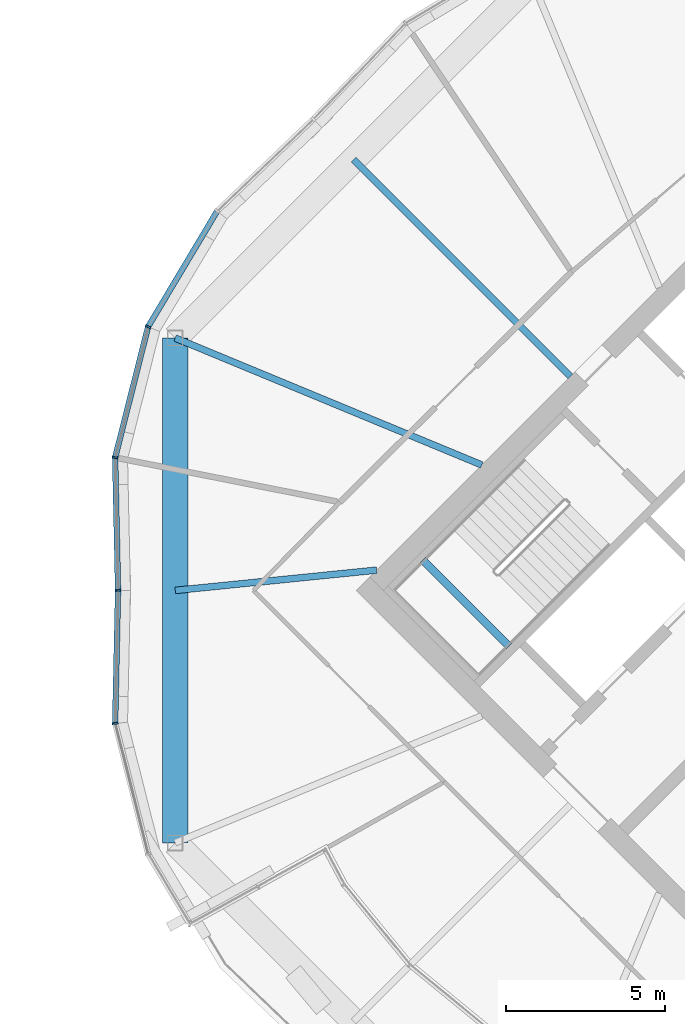
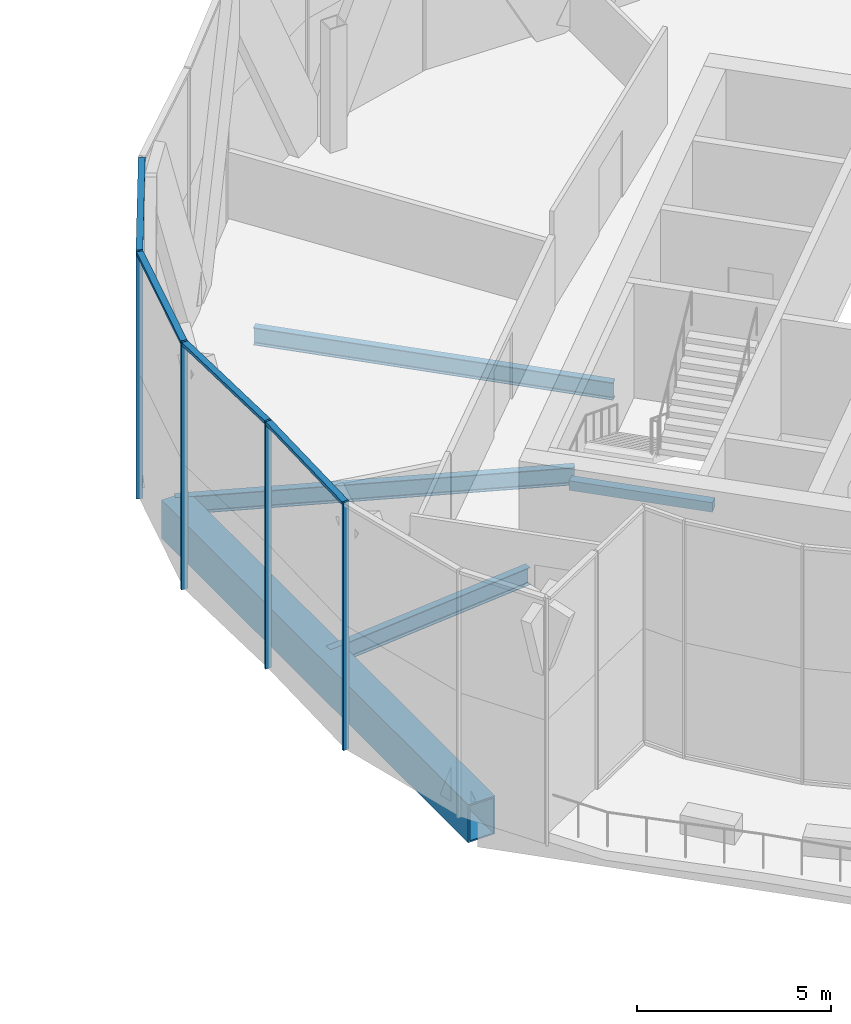
# One storey, part 11 of 26: 8 members, 5 beams, 2 elements without a shape of their own.
"""IFC4 building model written with IfcOpenShell, lengths in metres."""

from ifc_helpers import new_model, si_unit, direction, frame, origin, origin_2d, place, context, subcontext, project, spatial, rectangle, hollow_rectangle, i_section, extrude, material, material_profile, profile_set, type_object, element, aggregate, save


model = new_model("IFC4")

# Units and contexts
model_context = context("Model", 3, precision=1e-05, world=origin(), true_north=direction((0.0, 1.0)))
body_context = subcontext(model_context, "Body", "Model", "MODEL_VIEW")
ifc_project = project(units=[si_unit("LENGTHUNIT", "METRE"), si_unit("AREAUNIT", "SQUARE_METRE"), si_unit("VOLUMEUNIT", "CUBIC_METRE"), si_unit("PLANEANGLEUNIT", "RADIAN"), si_unit("MASSUNIT", "GRAM", prefix="KILO")], contexts=[model_context])

# Site, building, storey
site_placement = place(None, origin())
site = spatial("IfcSite", under=ifc_project, at=site_placement, CompositionType="ELEMENT")
building_placement = place(site_placement, origin())
building = spatial("IfcBuilding", under=site, at=building_placement, Name="Ogive Gate Towers", CompositionType="ELEMENT")
storey_placement = place(building_placement, frame((0.0, 0.0, 208.5)))
storey = spatial("IfcBuildingStorey", under=building, at=storey_placement, Name="L50", CompositionType="ELEMENT", Elevation=208.5)

# Beams
ifc_material_1 = material(Name="Steel SM460", Category="steel")
ifc_material_profile_1 = material_profile(ifc_material_1, hollow_rectangle(XDim=0.800048828125, YDim=1.199951171875, WallThickness=0.050048828125, at=origin_2d()), Name="BX 1200x800x50")
ifc_profile_set_1 = profile_set([ifc_material_profile_1], Name="Steel SM460")
beam_type_1 = type_object("IfcBeamType", Name="Edge girder BX 1200x800x50", PredefinedType="BEAM", material=ifc_profile_set_1)
beam_1_placement = place(storey_placement, frame((16.885009765625, 7.917724609375, -0.89990234375), z_axis=(0.0, -1.0, 0.0), x_axis=(1.0, 0.0, 0.0)))
element("IfcBeam", 1, at=beam_1_placement, inside=storey, type_object=beam_type_1, Name="T2/L50/SBM024", PredefinedType="BEAM", context=body_context, shape_type="SweptSolid", body=[
    extrude(hollow_rectangle(XDim=0.800048828125, YDim=1.199951171875, WallThickness=0.050048828125, at=origin_2d()), origin(), (0.0, 0.0, 1.0), 15.83544921875),
])
ifc_material_2 = material(Name="Concrete C40/50", Category="concrete")
ifc_material_profile_2 = material_profile(ifc_material_2, rectangle(XDim=0.25, YDim=0.300048828125, at=origin_2d()), Name="RC 250x300")
ifc_profile_set_2 = profile_set([ifc_material_profile_2], Name="Concrete C40/50")
beam_type_2 = type_object("IfcBeamType", Name="Landing bearer RC 250x300", PredefinedType="BEAM", material=ifc_profile_set_2)
beam_2_placement = place(storey_placement, frame((24.650390625, 0.9541015625, 1.60009765625), z_axis=(0.707106781187, -0.707106781187, 0.0), x_axis=(0.707106781187, 0.707106781187, 0.0)))
element("IfcBeam", 2, at=beam_2_placement, inside=storey, type_object=beam_type_2, Name="T2 L50 stair 1 landing bearer 1", PredefinedType="BEAM", context=body_context, shape_type="SweptSolid", body=[
    extrude(rectangle(XDim=0.25, YDim=0.300048828125, at=origin_2d()), origin(), (0.0, 0.0, 1.0), 3.824951171875),
])
ifc_material_3 = material(Name="Steel SM355", Category="steel")
ifc_material_profile_3 = material_profile(ifc_material_3, i_section(OverallWidth=0.2099609375, OverallDepth=0.550048828125, WebThickness=0.010986328125, FlangeThickness=0.01708984375, FilletRadius=0.02392578125, at=origin_2d()), Name="IPE 550")
ifc_profile_set_3 = profile_set([ifc_material_profile_3], Name="Steel SM355")
beam_type_3 = type_object("IfcBeamType", Name="Radial floor beam IPE 550", PredefinedType="BEAM", material=ifc_profile_set_3)
beam_3_placement = place(storey_placement, frame((29.282470703125, 6.717529296875, -0.574951171875), z_axis=(-0.707106781187, 0.707106781187, 0.0), x_axis=(-0.707106781187, -0.707106781187, 0.0)))
element("IfcBeam", 3, at=beam_3_placement, inside=storey, type_object=beam_type_3, Name="T2/L50/SBM014", PredefinedType="BEAM", context=body_context, shape_type="SweptSolid", body=[
    extrude(i_section(OverallWidth=0.2099609375, OverallDepth=0.550048828125, WebThickness=0.010986328125, FlangeThickness=0.01708984375, FilletRadius=0.02392578125, at=origin_2d()), origin(), (0.0, 0.0, 1.0), 9.614990234375),
])
beam_4_placement = place(storey_placement, frame((26.5, 3.93505859375, -0.574951171875), z_axis=(-0.92387930631, 0.382683978464, 0.0), x_axis=(-0.382683978464, -0.92387930631, 0.0)))
element("IfcBeam", 4, at=beam_4_placement, inside=storey, type_object=beam_type_3, Name="T2/L50/SBM015", PredefinedType="BEAM", context=body_context, shape_type="SweptSolid", body=[
    extrude(i_section(OverallWidth=0.2099609375, OverallDepth=0.550048828125, WebThickness=0.010986328125, FlangeThickness=0.01708984375, FilletRadius=0.02392578125, at=origin_2d()), origin(), (0.0, 0.0, 1.0), 10.4072265625),
])
beam_5_placement = place(storey_placement, frame((23.201416015625, 0.636474609375, -0.574951171875), z_axis=(-0.994961513499, -0.100257601488, 0.0), x_axis=(0.100257601488, -0.994961513499, 0.0)))
element("IfcBeam", 5, at=beam_5_placement, inside=storey, type_object=beam_type_3, Name="T2/L50/SBM016", PredefinedType="BEAM", context=body_context, shape_type="SweptSolid", body=[
    extrude(i_section(OverallWidth=0.2099609375, OverallDepth=0.550048828125, WebThickness=0.010986328125, FlangeThickness=0.01708984375, FilletRadius=0.02392578125, at=origin_2d()), origin(), (0.0, 0.0, 1.0), 6.348388671875),
])

# Curtain wall, members
ifc_material_4 = material(Name="Pale metal aluminium", Category="aluminium")
curtain_wall_type = type_object("IfcCurtainWallType", Name="Tower unitised wall, high zone", PredefinedType="NOTDEFINED", material=ifc_material_4)
curtain_wall_1_placement = place(storey_placement, origin())
curtain_wall_1 = element("IfcCurtainWall", 6, at=curtain_wall_1_placement, inside=storey, type_object=curtain_wall_type, Name="CW2 T2 ECW07", PredefinedType="NOTDEFINED")
ifc_material_profile_4 = material_profile(ifc_material_4, rectangle(XDim=0.179931640625, YDim=0.06005859375, at=origin_2d()), Name="60 x 180 aluminium box")
ifc_profile_set_4 = profile_set([ifc_material_profile_4], Name="Pale metal aluminium")
member_type_1 = type_object("IfcMemberType", Name="Tower unitised wall, high zone mullion 60 x 180", PredefinedType="MULLION", material=ifc_profile_set_4)
member_1_placement = place(storey_placement, frame((15.090087890625, -0.000244140625, -0.300048828125), z_axis=(0.0, 0.0, 1.0), x_axis=(0.999761646186, 0.02183233417, 0.0)))
member_1 = element("IfcMember", 7, at=member_1_placement, type_object=member_type_1, Name="CW2 mullion", PredefinedType="MULLION", context=body_context, shape_type="SweptSolid", body=[
    extrude(rectangle(XDim=0.179931640625, YDim=0.06005859375, at=origin_2d()), origin(), (0.0, 0.0, 1.0), 7.800048828125),
])
member_2_placement = place(storey_placement, frame((14.9990234375, 4.16796875, -0.300048828125), z_axis=(0.0, 0.0, 1.0), x_axis=(0.993662420818, -0.112405486759, 0.0)))
member_2 = element("IfcMember", 8, at=member_2_placement, type_object=member_type_1, Name="CW2 mullion", PredefinedType="MULLION", context=body_context, shape_type="SweptSolid", body=[
    extrude(rectangle(XDim=0.179931640625, YDim=0.06005859375, at=origin_2d()), origin(), (0.0, 0.0, 1.0), 7.800048828125),
])
member_3_placement = place(storey_placement, frame((16.033935546875, 8.270263671875, -0.300048828125), z_axis=(0.0, 0.0, 1.0), x_axis=(0.923879532511, -0.382683432365, 0.0)))
member_3 = element("IfcMember", 9, at=member_3_placement, type_object=member_type_1, Name="CW2 mullion", PredefinedType="MULLION", context=body_context, shape_type="SweptSolid", body=[
    extrude(rectangle(XDim=0.179931640625, YDim=0.06005859375, at=origin_2d()), origin(), (0.0, 0.0, 1.0), 7.800048828125),
])

# Curtain wall, member
curtain_wall_2_placement = place(storey_placement, origin())
curtain_wall_2 = element("IfcCurtainWall", 10, at=curtain_wall_2_placement, inside=storey, type_object=curtain_wall_type, Name="CW2 T2 ECW08", PredefinedType="NOTDEFINED")
member_4_placement = place(storey_placement, frame((14.9990234375, -4.16796875, -0.300048828125), z_axis=(0.0, 0.0, 1.0), x_axis=(0.993662420818, 0.112405486759, 0.0)))
member_4 = element("IfcMember", 11, at=member_4_placement, type_object=member_type_1, Name="CW2 mullion", PredefinedType="MULLION", context=body_context, shape_type="SweptSolid", body=[
    extrude(rectangle(XDim=0.179931640625, YDim=0.06005859375, at=origin_2d()), origin(), (0.0, 0.0, 1.0), 7.800048828125),
])

# Member
ifc_material_profile_5 = material_profile(ifc_material_4, rectangle(XDim=0.179931640625, YDim=0.10009765625, at=origin_2d()), Name="100 x 180 aluminium box")
ifc_profile_set_5 = profile_set([ifc_material_profile_5], Name="Pale metal aluminium")
member_type_2 = type_object("IfcMemberType", Name="Tower unitised wall, high zone transom 100 x 180", PredefinedType="USERDEFINED", material=ifc_profile_set_5)
member_5_placement = place(storey_placement, frame((15.08935546875, 0.02978515625, 7.449951171875), z_axis=(-0.021811478493, 0.999762101405, 0.0), x_axis=(-0.999762101405, -0.021811478493, 0.0)))
member_5 = element("IfcMember", 12, at=member_5_placement, type_object=member_type_2, Name="CW2 transom", ObjectType="TRANSOM", PredefinedType="USERDEFINED", context=body_context, shape_type="SweptSolid", body=[
    extrude(rectangle(XDim=0.179931640625, YDim=0.10009765625, at=origin_2d()), origin(), (0.0, 0.0, 1.0), 4.10791015625),
])

member_6_placement = place(storey_placement, frame((15.006591796875, 4.1982421875, 7.449951171875), z_axis=(0.244602369594, 0.96962347372, 0.0), x_axis=(-0.96962347372, 0.244602369594, 0.0)))
member_6 = element("IfcMember", 13, at=member_6_placement, type_object=member_type_2, Name="CW2 transom", ObjectType="TRANSOM", PredefinedType="USERDEFINED", context=body_context, shape_type="SweptSolid", body=[
    extrude(rectangle(XDim=0.179931640625, YDim=0.10009765625, at=origin_2d()), origin(), (0.0, 0.0, 1.0), 4.168212890625),
])

member_7_placement = place(storey_placement, frame((16.050048828125, 8.29736328125, 7.449951171875), z_axis=(0.512651166914, 0.858596984075, 0.0), x_axis=(-0.858596984075, 0.512651166914, 0.0)))
member_7 = element("IfcMember", 14, at=member_7_placement, type_object=member_type_2, Name="CW2 transom", ObjectType="TRANSOM", PredefinedType="USERDEFINED", context=body_context, shape_type="SweptSolid", body=[
    extrude(rectangle(XDim=0.179931640625, YDim=0.10009765625, at=origin_2d()), origin(), (0.0, 0.0, 1.0), 4.16796875),
])

aggregate(curtain_wall_1, [member_1, member_2, member_5, member_3, member_6, member_7])

member_8_placement = place(storey_placement, frame((14.999755859375, -4.13671875, 7.449951171875), z_axis=(0.021811478493, 0.999762101405, 0.0), x_axis=(-0.999762101405, 0.021811478493, 0.0)))
member_8 = element("IfcMember", 15, at=member_8_placement, type_object=member_type_2, Name="CW2 transom", ObjectType="TRANSOM", PredefinedType="USERDEFINED", context=body_context, shape_type="SweptSolid", body=[
    extrude(rectangle(XDim=0.179931640625, YDim=0.10009765625, at=origin_2d()), origin(), (0.0, 0.0, 1.0), 4.10791015625),
])

aggregate(curtain_wall_2, [member_4, member_8])

save(model, "model.ifc")
